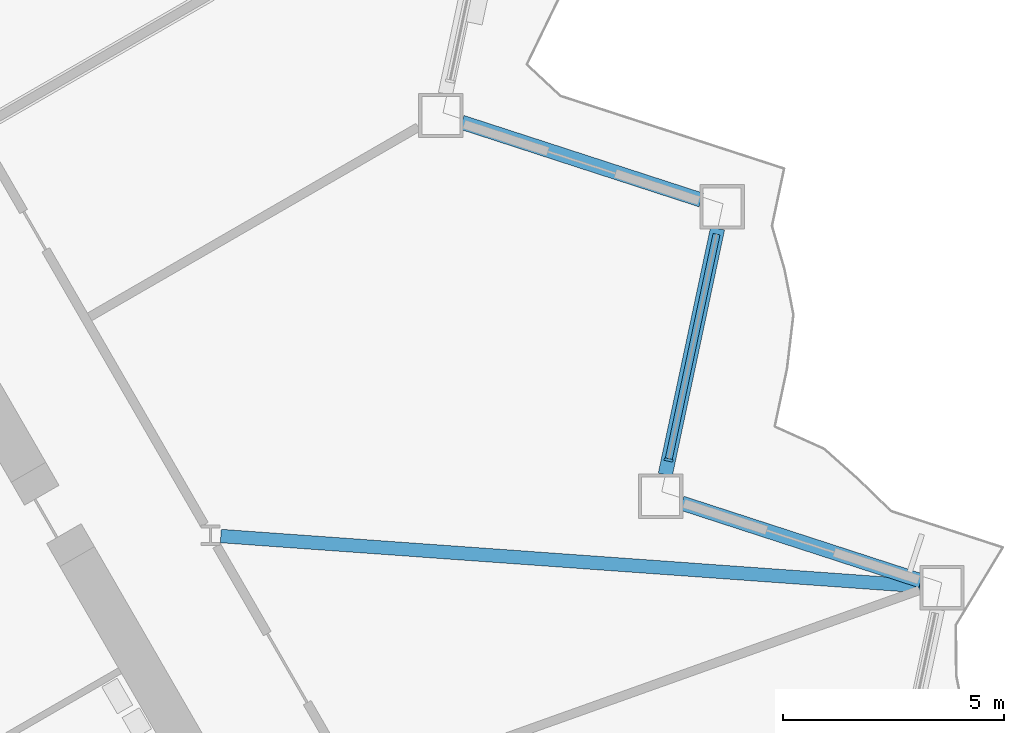
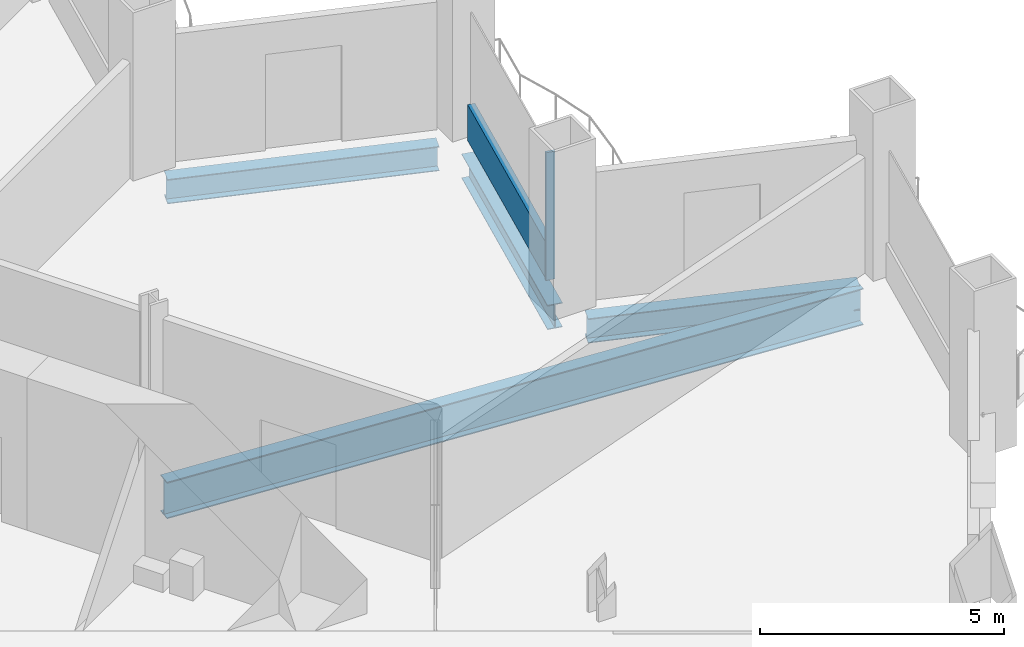
# One storey, part 5 of 21: 4 beams, 2 members, 1 element without a shape of its own.
"""IFC4 building model written with IfcOpenShell, lengths in metres."""

import ifcopenshell
import ifcopenshell.guid

model = None  # the IFC model being written
_history = None  # IfcOwnerHistory: only IFC2X3 demands one
_inside = {}  # id of a spatial element -> (the spatial element, [elements in it])
_under = {}  # id of a project, library or spatial element -> (it, [spatial elements below it])
_declared = {}  # id of a project -> (the project, [libraries it declares])
_typed = {}  # id of a type object -> (the type object, [elements of that type])
_made_of = {}  # id of a material, layer set ... -> (it, [elements and type objects made of it])


def new_model(schema):
    """Start an empty IFC model of exactly this schema.

    Asked for "IFC4X3", IfcOpenShell would pick the latest addendum, in which some entities
    have other attributes; the version numbers below select the first issue.
    IFC2X3 requires an IfcOwnerHistory on every rooted entity: one is made here for all.
    """
    global model, _history
    if schema == "IFC4X3":
        model = ifcopenshell.file(schema_version=(4, 3, 0, 0))
    else:
        model = ifcopenshell.file(schema=schema)
    _inside.clear()
    _under.clear()
    _declared.clear()
    _typed.clear()
    _made_of.clear()
    _history = None
    if model.schema == "IFC2X3":
        org = make("IfcOrganization", Name="unknown")
        user = make(
            "IfcPersonAndOrganization",
            ThePerson=make("IfcPerson", FamilyName="unknown"),
            TheOrganization=org,
        )
        app = make(
            "IfcApplication",
            ApplicationDeveloper=org,
            Version="unknown",
            ApplicationFullName="unknown",
            ApplicationIdentifier="unknown",
        )
        _history = make(
            "IfcOwnerHistory",
            OwningUser=user,
            OwningApplication=app,
            ChangeAction="ADDED",
            CreationDate=0,
        )
    return model


def make(cls, **values):
    """One entity of the class cls with the attributes given. An attribute that is None is left unset."""
    return model.create_entity(
        cls, **{name: value for name, value in values.items() if value is not None}
    )


def rooted(cls, **values):
    """An entity with a GlobalId (a new one), such as an element, a storey or a relation."""
    return make(cls, GlobalId=ifcopenshell.guid.new(), OwnerHistory=_history, **values)


def si_unit(unit_type, name, prefix=None):
    """IfcSIUnit, for example si_unit("LENGTHUNIT", "METRE", prefix="MILLI")."""
    return make("IfcSIUnit", UnitType=unit_type, Prefix=prefix, Name=name)


def assignment(units):
    """IfcUnitAssignment: the units of a project."""
    return None if units is None else make("IfcUnitAssignment", Units=units)


def point(xyz):
    """IfcCartesianPoint."""
    return None if xyz is None else make("IfcCartesianPoint", Coordinates=xyz)


def direction(xyz):
    """IfcDirection."""
    return None if xyz is None else make("IfcDirection", DirectionRatios=xyz)


def frame(location, z_axis=None, x_axis=None):
    """IfcAxis2Placement3D, a coordinate frame: its origin and axes. An axis left out is left unset."""
    return make(
        "IfcAxis2Placement3D",
        Location=point(location),
        Axis=direction(z_axis),
        RefDirection=direction(x_axis),
    )


def frame_2d(location, x_axis=None):
    """IfcAxis2Placement2D, a coordinate frame in the plane: its origin and x axis."""
    return make(
        "IfcAxis2Placement2D", Location=point(location), RefDirection=direction(x_axis)
    )


def origin():
    """The frame at (0, 0, 0) with its axes left unset."""
    return frame((0.0, 0.0, 0.0))


def origin_2d():
    """The frame at (0, 0) in the plane with its x axis left unset."""
    return frame_2d((0.0, 0.0))


def place(relative_to, where):
    """IfcLocalPlacement: puts the frame where relative to a parent placement (None: the world)."""
    return make(
        "IfcLocalPlacement", PlacementRelTo=relative_to, RelativePlacement=where
    )


def context(
    kind, dimensions, precision=None, world=None, true_north=None, identifier=None
):
    """IfcGeometricRepresentationContext, for example the 3D "Model" context."""
    return make(
        "IfcGeometricRepresentationContext",
        ContextIdentifier=identifier,
        ContextType=kind,
        CoordinateSpaceDimension=dimensions,
        Precision=precision,
        WorldCoordinateSystem=world,
        TrueNorth=true_north,
    )


def subcontext(parent, identifier, kind, view, scale=None):
    """IfcGeometricRepresentationSubContext, for example "Body" below "Model"."""
    return make(
        "IfcGeometricRepresentationSubContext",
        ContextIdentifier=identifier,
        ContextType=kind,
        ParentContext=parent,
        TargetScale=scale,
        TargetView=view,
    )


def project(units=None, contexts=None):
    """IfcProject with its units and contexts."""
    return rooted(
        "IfcProject",
        Name="project",
        RepresentationContexts=contexts,
        UnitsInContext=assignment(units),
    )


def spatial(cls, under=None, at=None, **own):
    """A site, building, storey or space (cls), placed at a placement, below another one or the project."""
    s = rooted(cls, ObjectPlacement=at, **own)
    if under is not None:
        _under.setdefault(under.id(), (under, []))[1].append(s)
    return s


def profile(cls, at=None, kind="AREA", **sizes):
    """A parametric profile (cls). Its sizes go by their IFC names, for example OverallWidth=200.0."""
    return make(cls, ProfileType=kind, Position=at, **sizes)


def rectangle(**sizes):
    """IfcRectangleProfileDef."""
    return profile("IfcRectangleProfileDef", **sizes)


def i_section(**sizes):
    """IfcIShapeProfileDef."""
    return profile("IfcIShapeProfileDef", **sizes)


def extrude(swept, where, along, depth):
    """IfcExtrudedAreaSolid: the profile swept, set in the frame where, extruded along a direction by depth."""
    return make(
        "IfcExtrudedAreaSolid",
        SweptArea=swept,
        Position=where,
        ExtrudedDirection=direction(along),
        Depth=depth,
    )


def shape(context_of_items, identifier, shape_type, items):
    """IfcShapeRepresentation: the items that make up one representation, for example the "Body"."""
    return make(
        "IfcShapeRepresentation",
        ContextOfItems=context_of_items,
        RepresentationIdentifier=identifier,
        RepresentationType=shape_type,
        Items=items,
    )


def material(Name=None, Category=None):
    """IfcMaterial."""
    return make("IfcMaterial", Name=Name, Category=Category)


def layer(
    of_material, thickness, ventilated=None, Name=None, Category=None, Priority=None
):
    """IfcMaterialLayer: one layer of a wall or slab, of a material (None: an air gap)."""
    return make(
        "IfcMaterialLayer",
        Material=of_material,
        LayerThickness=thickness,
        IsVentilated=ventilated,
        Name=Name,
        Category=Category,
        Priority=Priority,
    )


def layer_set(layers, Name=None):
    """IfcMaterialLayerSet."""
    return make("IfcMaterialLayerSet", MaterialLayers=layers, LayerSetName=Name)


def material_profile(
    of_material, cross_section, Name=None, Category=None, Priority=None
):
    """IfcMaterialProfile: a cross section and its material."""
    return make(
        "IfcMaterialProfile",
        Name=Name,
        Material=of_material,
        Profile=cross_section,
        Priority=Priority,
        Category=Category,
    )


def profile_set(profiles, Name=None, composite=None):
    """IfcMaterialProfileSet."""
    return make(
        "IfcMaterialProfileSet",
        Name=Name,
        MaterialProfiles=profiles,
        CompositeProfile=composite,
    )


def made_of(thing, what):
    """Note that an element or type object is made of a material, layer set ...; save() writes the relation."""
    if what is not None:
        _made_of.setdefault(what.id(), (what, []))[1].append(thing)
    return thing


def type_object(cls, material=None, **own):
    """A type object (cls), such as IfcWallType, which elements share."""
    return made_of(rooted(cls, **own), material)


def element(
    cls,
    number,
    at=None,
    inside=None,
    cuts=None,
    type_object=None,
    material=None,
    context=None,
    identifier="Body",
    shape_type=None,
    held_by="IfcProductDefinitionShape",
    body=None,
    shapes=None,
    **own,
):
    """One element of the class cls, such as IfcWall. Its Tag is "e" and its number.

    at: its placement. inside: the storey or other place that contains it. cuts: it is an
    opening in that element (IfcRelVoidsElement). A single representation is given by context,
    identifier, shape_type and body (its items); several are given by shapes. held_by: the class
    of the entity that holds the representations. save() writes the other relations.
    """
    e = rooted(cls, Tag="e%d" % number, ObjectPlacement=at, **own)
    if body is not None:
        shapes = [shape(context, identifier, shape_type, body)]
    if shapes is not None:
        e.Representation = make(held_by, Representations=shapes)
    if inside is not None:
        _inside.setdefault(inside.id(), (inside, []))[1].append(e)
    if cuts is not None:
        rooted(
            "IfcRelVoidsElement", RelatingBuildingElement=cuts, RelatedOpeningElement=e
        )
    if type_object is not None:
        _typed.setdefault(type_object.id(), (type_object, []))[1].append(e)
    return made_of(e, material)


def aggregate(whole, parts):
    """IfcRelAggregates: a whole, such as a stair, and the parts it consists of."""
    return rooted("IfcRelAggregates", RelatingObject=whole, RelatedObjects=parts)


def save(model, path):
    """Write the relations noted so far, then the file.

    IfcRelAggregates (storeys below a building ...), IfcRelContainedInSpatialStructure (elements
    in a storey), IfcRelDefinesByType, IfcRelAssociatesMaterial and IfcRelDeclares: one each for
    every whole, place, type object, material and project.
    """
    for whole, parts in _under.values():
        aggregate(whole, parts)
    for where, things in _inside.values():
        rooted(
            "IfcRelContainedInSpatialStructure",
            RelatedElements=things,
            RelatingStructure=where,
        )
    for kind, things in _typed.values():
        rooted("IfcRelDefinesByType", RelatedObjects=things, RelatingType=kind)
    for what, things in _made_of.values():
        rooted("IfcRelAssociatesMaterial", RelatedObjects=things, RelatingMaterial=what)
    for by, libraries in _declared.values():
        rooted("IfcRelDeclares", RelatingContext=by, RelatedDefinitions=libraries)
    model.write(path)


model = new_model("IFC4")

# Units and contexts
model_context = context("Model", 3, precision=1e-05, world=origin(), true_north=direction((0.0, 1.0)))
body_context = subcontext(model_context, "Body", "Model", "MODEL_VIEW")
ifc_project = project(units=[si_unit("LENGTHUNIT", "METRE"), si_unit("AREAUNIT", "SQUARE_METRE"), si_unit("VOLUMEUNIT", "CUBIC_METRE"), si_unit("PLANEANGLEUNIT", "RADIAN"), si_unit("MASSUNIT", "GRAM", prefix="KILO")], contexts=[model_context])

# Site, building, storey
site_placement = place(None, origin())
site = spatial("IfcSite", under=ifc_project, at=site_placement, CompositionType="ELEMENT")
building_placement = place(site_placement, origin())
building = spatial("IfcBuilding", under=site, at=building_placement, Name="Cormorant Prow Tower", CompositionType="ELEMENT")
storey_placement = place(building_placement, frame((0.0, 0.0, 76.199951171875)))
storey = spatial("IfcBuildingStorey", under=building, at=storey_placement, Name="L16", CompositionType="ELEMENT", Elevation=76.199951171875)

# Curtain wall, members
ifc_material_1 = material(Name="Aluminium 6063-T6", Category="aluminium")
ifc_layer = layer(ifc_material_1, 0.199951171875)
ifc_layer_set = layer_set([ifc_layer], Name="Aluminium 6063-T6")
curtain_wall_type = type_object("IfcCurtainWallType", Name="Office unitised curtain wall 200", PredefinedType="NOTDEFINED", material=ifc_layer_set)
curtain_wall_placement = place(storey_placement, origin())
curtain_wall = element("IfcCurtainWall", 1, at=curtain_wall_placement, inside=storey, type_object=curtain_wall_type, Name="Office curtain wall ENE02", PredefinedType="NOTDEFINED")
ifc_material_2 = material(Name="Aluminium 6063-T6", Category="aluminium")
ifc_material_profile_1 = material_profile(ifc_material_2, rectangle(XDim=0.199951171875, YDim=0.06005859375, at=origin_2d()), Name="Office mullion 60x200")
ifc_profile_set_1 = profile_set([ifc_material_profile_1], Name="Aluminium 6063-T6")
member_type_1 = type_object("IfcMemberType", Name="Office mullion 60x200", PredefinedType="MULLION", material=ifc_profile_set_1)
member_1_placement = place(storey_placement, frame((26.2119140625, -1.3515625, 0.0), z_axis=(0.0, 0.0, 1.0), x_axis=(-0.978147624611, 0.207911578485, 0.0)))
member_1 = element("IfcMember", 2, at=member_1_placement, type_object=member_type_1, Name="Office mullion ENE02", PredefinedType="MULLION", context=body_context, shape_type="SweptSolid", body=[
    extrude(rectangle(XDim=0.199951171875, YDim=0.06005859375, at=origin_2d()), origin(), (0.0, 0.0, 1.0), 3.18896484375),
])
ifc_material_3 = material(Name="Terracotta", Category="masonry")
ifc_material_profile_2 = material_profile(ifc_material_3, rectangle(XDim=0.159912109375, YDim=0.89990234375, at=origin_2d()), Name="Office terracotta spandrel rail 160x900")
ifc_profile_set_2 = profile_set([ifc_material_profile_2], Name="Terracotta")
member_type_2 = type_object("IfcMemberType", Name="Office terracotta spandrel rail 160x900", PredefinedType="USERDEFINED", material=ifc_profile_set_2)
member_2_placement = place(storey_placement, frame((26.21826171875, -1.322265625, 0.449951171875), z_axis=(0.207916794686, 0.978146515859, 0.0), x_axis=(-0.978146515859, 0.207916794686, 0.0)))
member_2 = element("IfcMember", 3, at=member_2_placement, type_object=member_type_2, Name="Office spandrel rail ENE02", ObjectType="TRANSOM", PredefinedType="USERDEFINED", context=body_context, shape_type="SweptSolid", body=[
    extrude(rectangle(XDim=0.159912109375, YDim=0.89990234375, at=origin_2d()), origin(), (0.0, 0.0, 1.0), 5.181884765625),
])
aggregate(curtain_wall, [member_1, member_2])

# Beams
ifc_material_4 = material(Name="Structural steel ASTM A992 Gr 50", Category="steel")
ifc_material_profile_3 = material_profile(ifc_material_4, i_section(OverallWidth=0.3046875, OverallDepth=0.914794921875, WebThickness=0.0166015625, FlangeThickness=0.02587890625, at=origin_2d()), Name="W36x160")
ifc_profile_set_3 = profile_set([ifc_material_profile_3], Name="Structural steel ASTM A992 Gr 50")
beam_type_1 = type_object("IfcBeamType", Name="Radial floor beam W36x160", PredefinedType="BEAM", material=ifc_profile_set_3)
beam_1_placement = place(storey_placement, frame((16.099365234375, -3.0703125, -0.857421875), z_axis=(0.997443412532, -0.071460750045, 0.0), x_axis=(0.071460750045, 0.997443412532, 0.0)))
element("IfcBeam", 4, at=beam_1_placement, inside=storey, type_object=beam_type_1, Name="Radial floor beam FB1 10 L16", PredefinedType="BEAM", context=body_context, shape_type="SweptSolid", body=[
    extrude(i_section(OverallWidth=0.3046875, OverallDepth=0.914794921875, WebThickness=0.0166015625, FlangeThickness=0.02587890625, at=origin_2d()), origin(), (0.0, 0.0, 1.0), 15.831787109375),
])
ifc_material_5 = material(Name="Structural steel ASTM A992 Gr 50", Category="steel")
ifc_material_profile_4 = material_profile(ifc_material_5, i_section(OverallWidth=0.32373046875, OverallDepth=0.611083984375, WebThickness=0.0126953125, FlangeThickness=0.01904296875, at=origin_2d()), Name="W24x104")
ifc_profile_set_4 = profile_set([ifc_material_profile_4], Name="Structural steel ASTM A992 Gr 50")
beam_type_2 = type_object("IfcBeamType", Name="Spandrel beam W24x104", PredefinedType="SPANDREL", material=ifc_profile_set_4)
beam_2_placement = place(storey_placement, frame((31.913818359375, -4.082763671875, -0.70556640625), z_axis=(-0.951049222751, 0.309039440696, 0.0), x_axis=(-0.309039440696, -0.951049222751, 0.0)))
element("IfcBeam", 5, at=beam_2_placement, inside=storey, type_object=beam_type_2, Name="Spandrel beam SB1 ENE01-ENE02 L16", PredefinedType="SPANDREL", context=body_context, shape_type="SweptSolid", body=[
    extrude(i_section(OverallWidth=0.32373046875, OverallDepth=0.611083984375, WebThickness=0.0126953125, FlangeThickness=0.01904296875, at=origin_2d()), origin(), (0.0, 0.0, 1.0), 5.682373046875),
])
beam_3_placement = place(storey_placement, frame((26.137939453125, -1.68310546875, -0.70556640625), z_axis=(0.207900376723, 0.97815000555, 0.0), x_axis=(-0.97815000555, 0.207900376723, 0.0)))
element("IfcBeam", 6, at=beam_3_placement, inside=storey, type_object=beam_type_2, Name="Spandrel beam SB1 ENE02-ENE03 L16", PredefinedType="SPANDREL", context=body_context, shape_type="SweptSolid", body=[
    extrude(i_section(OverallWidth=0.32373046875, OverallDepth=0.611083984375, WebThickness=0.0126953125, FlangeThickness=0.01904296875, at=origin_2d()), origin(), (0.0, 0.0, 1.0), 5.6826171875),
])
beam_4_placement = place(storey_placement, frame((26.94775390625, 4.518798828125, -0.70556640625), z_axis=(-0.951061849722, 0.309000579292, 0.0), x_axis=(-0.309000579292, -0.951061849722, 0.0)))
element("IfcBeam", 7, at=beam_4_placement, inside=storey, type_object=beam_type_2, Name="Spandrel beam SB1 ENE03-ENE04 L16", PredefinedType="SPANDREL", context=body_context, shape_type="SweptSolid", body=[
    extrude(i_section(OverallWidth=0.32373046875, OverallDepth=0.611083984375, WebThickness=0.0126953125, FlangeThickness=0.01904296875, at=origin_2d()), origin(), (0.0, 0.0, 1.0), 5.682373046875),
])

save(model, "model.ifc")
